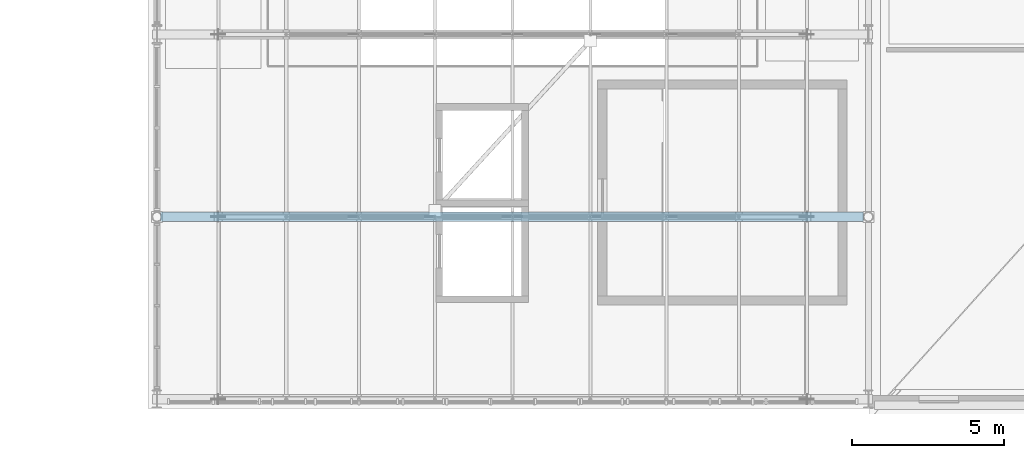
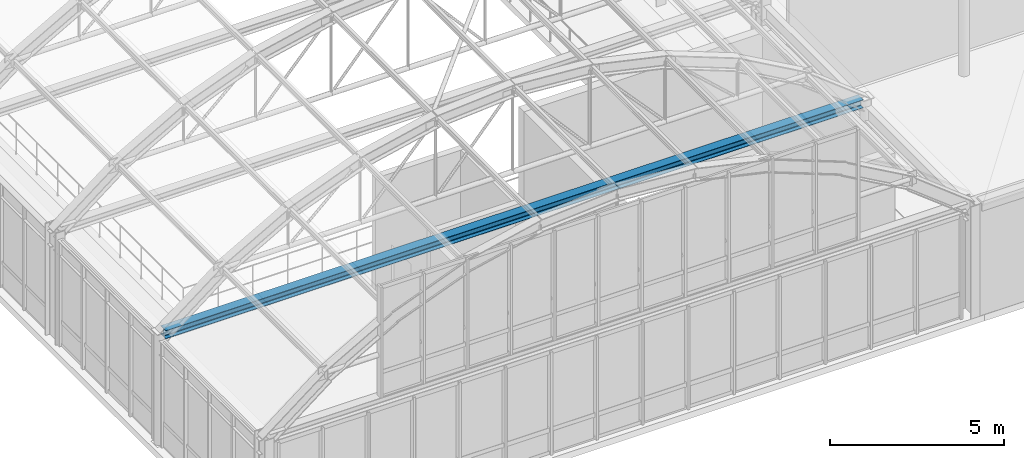
# One storey, part 35 of 148: 1 beam.
"""IFC4 building model written with IfcOpenShell, lengths in metres."""

from ifc_helpers import new_model, si_unit, direction, frame, origin, origin_2d, place, context, subcontext, project, spatial, i_section, extrude, material, material_profile, profile_set, type_object, element, save


model = new_model("IFC4")

# Units and contexts
model_context = context("Model", 3, precision=1e-05, world=origin(), true_north=direction((0.0, 1.0)))
body_context = subcontext(model_context, "Body", "Model", "MODEL_VIEW")
ifc_project = project(units=[si_unit("LENGTHUNIT", "METRE"), si_unit("AREAUNIT", "SQUARE_METRE"), si_unit("VOLUMEUNIT", "CUBIC_METRE"), si_unit("PLANEANGLEUNIT", "RADIAN"), si_unit("MASSUNIT", "GRAM", prefix="KILO"), si_unit("THERMODYNAMICTEMPERATUREUNIT", "KELVIN"), si_unit("POWERUNIT", "WATT")], contexts=[model_context])

# Site, building, storey
site_placement = place(None, origin())
site = spatial("IfcSite", under=ifc_project, at=site_placement, CompositionType="ELEMENT")
building_placement = place(site_placement, origin())
building = spatial("IfcBuilding", under=site, at=building_placement, Name="Solvatero Civic Police Headquarters", CompositionType="ELEMENT")
storey_placement = place(building_placement, frame((0.0, 0.0, 5.10009765625)))
storey = spatial("IfcBuildingStorey", under=building, at=storey_placement, Name="L01", CompositionType="ELEMENT", Elevation=5.10009765625)

# Beam
ifc_material = material(Name="Steel S355", Category="steel")
ifc_material_profile = material_profile(ifc_material, i_section(OverallWidth=0.300048828125, OverallDepth=0.2900390625, WebThickness=0.008544921875, FlangeThickness=0.013916015625, FilletRadius=0.027099609375, at=origin_2d()), Name="HEA 300")
ifc_profile_set = profile_set([ifc_material_profile], Name="Steel S355")
beam_type = type_object("IfcBeamType", Name="BM-ST-HEA300", PredefinedType="SPANDREL", material=ifc_profile_set)
beam_placement = place(storey_placement, frame((98.919921875, 10.800048828125, 3.81884765625), z_axis=(1.0, 0.0, 0.0), x_axis=(0.0, 1.0, 0.0)))
element("IfcBeam", 1, at=beam_placement, inside=storey, type_object=beam_type, Name="VLT1 Barrel Vault Springing Tie Beam F2", PredefinedType="SPANDREL", context=body_context, shape_type="SweptSolid", body=[
    extrude(i_section(OverallWidth=0.300048828125, OverallDepth=0.2900390625, WebThickness=0.008544921875, FlangeThickness=0.013916015625, FilletRadius=0.027099609375, at=origin_2d()), origin(), (0.0, 0.0, 1.0), 23.1201171875),
])

save(model, "model.ifc")
